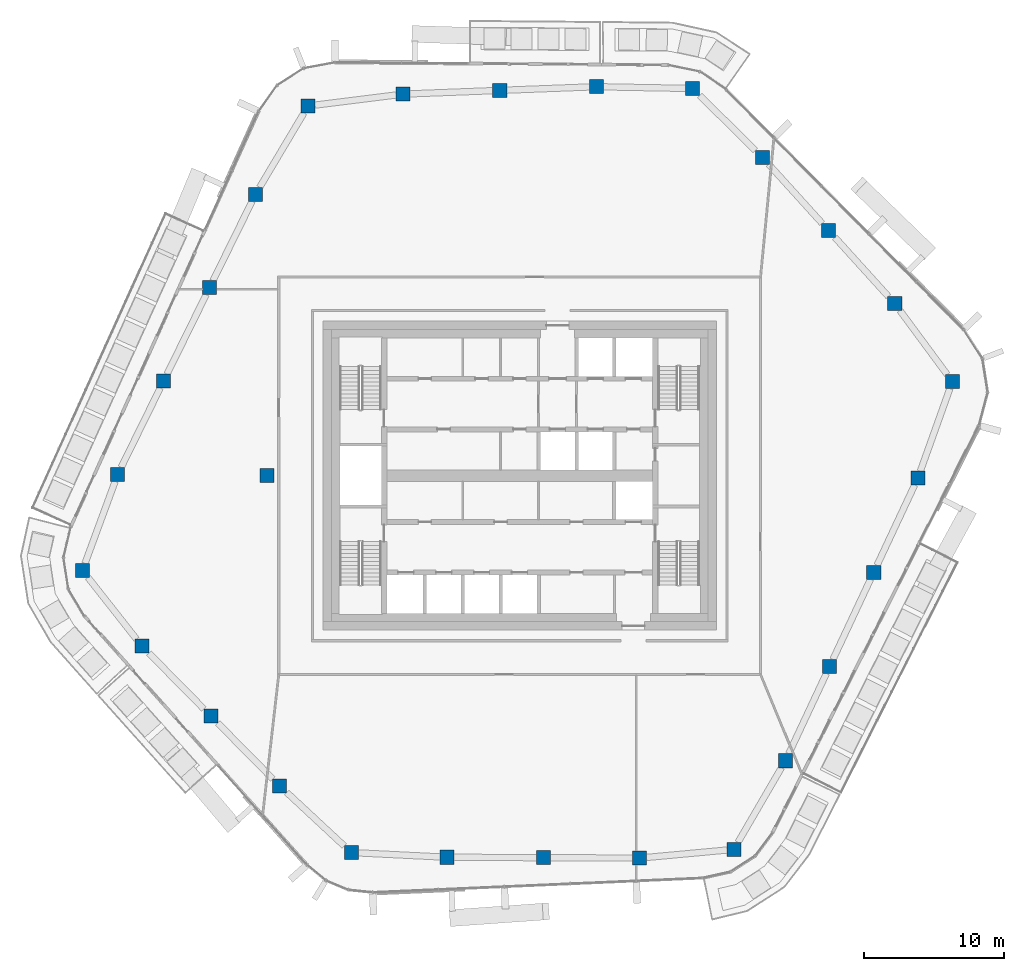
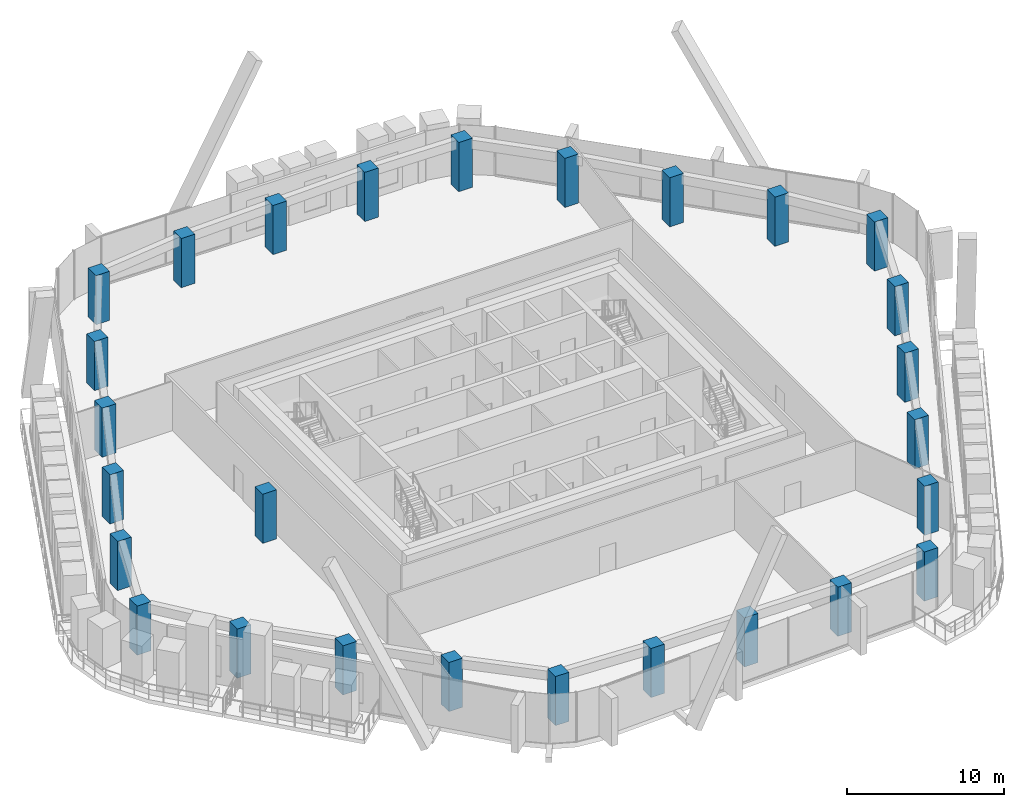
# One storey, part 1 of 23: 27 columns.
"""IFC4 building model written with IfcOpenShell, lengths in metres."""

import ifcopenshell
import ifcopenshell.guid

model = None  # the IFC model being written
_history = None  # IfcOwnerHistory: only IFC2X3 demands one
_inside = {}  # id of a spatial element -> (the spatial element, [elements in it])
_under = {}  # id of a project, library or spatial element -> (it, [spatial elements below it])
_declared = {}  # id of a project -> (the project, [libraries it declares])
_typed = {}  # id of a type object -> (the type object, [elements of that type])
_made_of = {}  # id of a material, layer set ... -> (it, [elements and type objects made of it])


def new_model(schema):
    """Start an empty IFC model of exactly this schema.

    Asked for "IFC4X3", IfcOpenShell would pick the latest addendum, in which some entities
    have other attributes; the version numbers below select the first issue.
    IFC2X3 requires an IfcOwnerHistory on every rooted entity: one is made here for all.
    """
    global model, _history
    if schema == "IFC4X3":
        model = ifcopenshell.file(schema_version=(4, 3, 0, 0))
    else:
        model = ifcopenshell.file(schema=schema)
    _inside.clear()
    _under.clear()
    _declared.clear()
    _typed.clear()
    _made_of.clear()
    _history = None
    if model.schema == "IFC2X3":
        org = make("IfcOrganization", Name="unknown")
        user = make(
            "IfcPersonAndOrganization",
            ThePerson=make("IfcPerson", FamilyName="unknown"),
            TheOrganization=org,
        )
        app = make(
            "IfcApplication",
            ApplicationDeveloper=org,
            Version="unknown",
            ApplicationFullName="unknown",
            ApplicationIdentifier="unknown",
        )
        _history = make(
            "IfcOwnerHistory",
            OwningUser=user,
            OwningApplication=app,
            ChangeAction="ADDED",
            CreationDate=0,
        )
    return model


def make(cls, **values):
    """One entity of the class cls with the attributes given. An attribute that is None is left unset."""
    return model.create_entity(
        cls, **{name: value for name, value in values.items() if value is not None}
    )


def rooted(cls, **values):
    """An entity with a GlobalId (a new one), such as an element, a storey or a relation."""
    return make(cls, GlobalId=ifcopenshell.guid.new(), OwnerHistory=_history, **values)


def si_unit(unit_type, name, prefix=None):
    """IfcSIUnit, for example si_unit("LENGTHUNIT", "METRE", prefix="MILLI")."""
    return make("IfcSIUnit", UnitType=unit_type, Prefix=prefix, Name=name)


def assignment(units):
    """IfcUnitAssignment: the units of a project."""
    return None if units is None else make("IfcUnitAssignment", Units=units)


def point(xyz):
    """IfcCartesianPoint."""
    return None if xyz is None else make("IfcCartesianPoint", Coordinates=xyz)


def direction(xyz):
    """IfcDirection."""
    return None if xyz is None else make("IfcDirection", DirectionRatios=xyz)


def frame(location, z_axis=None, x_axis=None):
    """IfcAxis2Placement3D, a coordinate frame: its origin and axes. An axis left out is left unset."""
    return make(
        "IfcAxis2Placement3D",
        Location=point(location),
        Axis=direction(z_axis),
        RefDirection=direction(x_axis),
    )


def frame_2d(location, x_axis=None):
    """IfcAxis2Placement2D, a coordinate frame in the plane: its origin and x axis."""
    return make(
        "IfcAxis2Placement2D", Location=point(location), RefDirection=direction(x_axis)
    )


def origin():
    """The frame at (0, 0, 0) with its axes left unset."""
    return frame((0.0, 0.0, 0.0))


def origin_2d():
    """The frame at (0, 0) in the plane with its x axis left unset."""
    return frame_2d((0.0, 0.0))


def place(relative_to, where):
    """IfcLocalPlacement: puts the frame where relative to a parent placement (None: the world)."""
    return make(
        "IfcLocalPlacement", PlacementRelTo=relative_to, RelativePlacement=where
    )


def context(
    kind, dimensions, precision=None, world=None, true_north=None, identifier=None
):
    """IfcGeometricRepresentationContext, for example the 3D "Model" context."""
    return make(
        "IfcGeometricRepresentationContext",
        ContextIdentifier=identifier,
        ContextType=kind,
        CoordinateSpaceDimension=dimensions,
        Precision=precision,
        WorldCoordinateSystem=world,
        TrueNorth=true_north,
    )


def subcontext(parent, identifier, kind, view, scale=None):
    """IfcGeometricRepresentationSubContext, for example "Body" below "Model"."""
    return make(
        "IfcGeometricRepresentationSubContext",
        ContextIdentifier=identifier,
        ContextType=kind,
        ParentContext=parent,
        TargetScale=scale,
        TargetView=view,
    )


def project(units=None, contexts=None):
    """IfcProject with its units and contexts."""
    return rooted(
        "IfcProject",
        Name="project",
        RepresentationContexts=contexts,
        UnitsInContext=assignment(units),
    )


def spatial(cls, under=None, at=None, **own):
    """A site, building, storey or space (cls), placed at a placement, below another one or the project."""
    s = rooted(cls, ObjectPlacement=at, **own)
    if under is not None:
        _under.setdefault(under.id(), (under, []))[1].append(s)
    return s


def profile(cls, at=None, kind="AREA", **sizes):
    """A parametric profile (cls). Its sizes go by their IFC names, for example OverallWidth=200.0."""
    return make(cls, ProfileType=kind, Position=at, **sizes)


def rectangle(**sizes):
    """IfcRectangleProfileDef."""
    return profile("IfcRectangleProfileDef", **sizes)


def extrude(swept, where, along, depth):
    """IfcExtrudedAreaSolid: the profile swept, set in the frame where, extruded along a direction by depth."""
    return make(
        "IfcExtrudedAreaSolid",
        SweptArea=swept,
        Position=where,
        ExtrudedDirection=direction(along),
        Depth=depth,
    )


def shape(context_of_items, identifier, shape_type, items):
    """IfcShapeRepresentation: the items that make up one representation, for example the "Body"."""
    return make(
        "IfcShapeRepresentation",
        ContextOfItems=context_of_items,
        RepresentationIdentifier=identifier,
        RepresentationType=shape_type,
        Items=items,
    )


def material(Name=None, Category=None):
    """IfcMaterial."""
    return make("IfcMaterial", Name=Name, Category=Category)


def material_profile(
    of_material, cross_section, Name=None, Category=None, Priority=None
):
    """IfcMaterialProfile: a cross section and its material."""
    return make(
        "IfcMaterialProfile",
        Name=Name,
        Material=of_material,
        Profile=cross_section,
        Priority=Priority,
        Category=Category,
    )


def profile_set(profiles, Name=None, composite=None):
    """IfcMaterialProfileSet."""
    return make(
        "IfcMaterialProfileSet",
        Name=Name,
        MaterialProfiles=profiles,
        CompositeProfile=composite,
    )


def made_of(thing, what):
    """Note that an element or type object is made of a material, layer set ...; save() writes the relation."""
    if what is not None:
        _made_of.setdefault(what.id(), (what, []))[1].append(thing)
    return thing


def type_object(cls, material=None, **own):
    """A type object (cls), such as IfcWallType, which elements share."""
    return made_of(rooted(cls, **own), material)


def element(
    cls,
    number,
    at=None,
    inside=None,
    cuts=None,
    type_object=None,
    material=None,
    context=None,
    identifier="Body",
    shape_type=None,
    held_by="IfcProductDefinitionShape",
    body=None,
    shapes=None,
    **own,
):
    """One element of the class cls, such as IfcWall. Its Tag is "e" and its number.

    at: its placement. inside: the storey or other place that contains it. cuts: it is an
    opening in that element (IfcRelVoidsElement). A single representation is given by context,
    identifier, shape_type and body (its items); several are given by shapes. held_by: the class
    of the entity that holds the representations. save() writes the other relations.
    """
    e = rooted(cls, Tag="e%d" % number, ObjectPlacement=at, **own)
    if body is not None:
        shapes = [shape(context, identifier, shape_type, body)]
    if shapes is not None:
        e.Representation = make(held_by, Representations=shapes)
    if inside is not None:
        _inside.setdefault(inside.id(), (inside, []))[1].append(e)
    if cuts is not None:
        rooted(
            "IfcRelVoidsElement", RelatingBuildingElement=cuts, RelatedOpeningElement=e
        )
    if type_object is not None:
        _typed.setdefault(type_object.id(), (type_object, []))[1].append(e)
    return made_of(e, material)


def aggregate(whole, parts):
    """IfcRelAggregates: a whole, such as a stair, and the parts it consists of."""
    return rooted("IfcRelAggregates", RelatingObject=whole, RelatedObjects=parts)


def save(model, path):
    """Write the relations noted so far, then the file.

    IfcRelAggregates (storeys below a building ...), IfcRelContainedInSpatialStructure (elements
    in a storey), IfcRelDefinesByType, IfcRelAssociatesMaterial and IfcRelDeclares: one each for
    every whole, place, type object, material and project.
    """
    for whole, parts in _under.values():
        aggregate(whole, parts)
    for where, things in _inside.values():
        rooted(
            "IfcRelContainedInSpatialStructure",
            RelatedElements=things,
            RelatingStructure=where,
        )
    for kind, things in _typed.values():
        rooted("IfcRelDefinesByType", RelatedObjects=things, RelatingType=kind)
    for what, things in _made_of.values():
        rooted("IfcRelAssociatesMaterial", RelatedObjects=things, RelatingMaterial=what)
    for by, libraries in _declared.values():
        rooted("IfcRelDeclares", RelatingContext=by, RelatedDefinitions=libraries)
    model.write(path)


model = new_model("IFC4")

# Units and contexts
model_context = context("Model", 3, precision=1e-05, world=origin(), true_north=direction((0.0, 1.0)))
body_context = subcontext(model_context, "Body", "Model", "MODEL_VIEW")
ifc_project = project(units=[si_unit("LENGTHUNIT", "METRE"), si_unit("AREAUNIT", "SQUARE_METRE"), si_unit("VOLUMEUNIT", "CUBIC_METRE"), si_unit("PLANEANGLEUNIT", "RADIAN"), si_unit("MASSUNIT", "GRAM", prefix="KILO")], contexts=[model_context])

# Site, building, storey
site_placement = place(None, origin())
site = spatial("IfcSite", under=ifc_project, at=site_placement, CompositionType="ELEMENT")
building_placement = place(site_placement, origin())
building = spatial("IfcBuilding", under=site, at=building_placement, Name="Dongbaek Canopy Tower", CompositionType="ELEMENT")
storey_placement = place(building_placement, frame((0.0, 0.0, 327.800048828125)))
storey = spatial("IfcBuildingStorey", under=building, at=storey_placement, Name="L70", CompositionType="ELEMENT", Elevation=327.800048828125)

# Columns
ifc_material = material(Name="Concrete C60", Category="concrete")
ifc_material_profile = material_profile(ifc_material, rectangle(XDim=1.0, YDim=1.0, at=origin_2d()), Name="RC COLUMN 1000x1000 C60")
ifc_profile_set = profile_set([ifc_material_profile], Name="Concrete C60")
column_type = type_object("IfcColumnType", Name="RC COLUMN 1000x1000 C60", PredefinedType="COLUMN", material=ifc_profile_set)
for number, where, z_axis, x_axis, name in (
    (1, (15.251953125, -26.60693359375, 0.0), (0.0, 0.0, 1.0), (1.0, 0.0, 0.0), "COL:CZ5-01:L70"),
    (2, (8.533935546875, -27.22705078125, 0.0), (0.0, 0.0, 1.0), (1.0, 0.0, 0.0), "COL:CZ5-02:L70"),
    (3, (1.68310546875, -27.197021484375, 0.0), (0.0, 0.0, 1.0), (1.0, 0.0, 0.0), "COL:CZ5-03:L70"),
    (4, (-5.166015625, -27.1669921875, 0.0), (0.0, 0.0, 1.0), (1.0, 0.0, 0.0), "COL:CZ5-04:L70"),
    (5, (-11.985107421875, -26.8310546875, 0.0), (0.0, 0.0, 1.0), (1.0, 0.0, 0.0), "COL:CZ5-05:L70"),
    (6, (-17.083984375, -22.089111328125, 0.0), (0.0, 0.0, 1.0), (1.0, 0.0, 0.0), "COL:CZ5-06:L70"),
    (7, (-21.986083984375, -17.112060546875, 0.0), (0.0, 0.0, 1.0), (1.0, 0.0, 0.0), "COL:CZ5-07:L70"),
    (8, (-26.888916015625, -12.134033203125, 0.0), (0.0, 0.0, 1.0), (1.0, 0.0, 0.0), "COL:CZ5-08:L70"),
    (9, (-31.12890625, -6.7451171875, 0.0), (0.0, 0.0, 1.0), (1.0, 0.0, 0.0), "COL:CZ5-09:L70"),
    (10, (-28.616943359375, 0.0859375, 0.0), (0.0, 0.0, 1.0), (1.0, 0.0, 0.0), "COL:CZ5-10:L70"),
    (11, (-25.346923828125, 6.735107421875, 0.0), (0.0, 0.0, 1.0), (1.0, 0.0, 0.0), "COL:CZ5-11:L70"),
    (12, (-22.075927734375, 13.384033203125, 0.0), (0.0, 0.0, 1.0), (1.0, 0.0, 0.0), "COL:CZ5-12:L70"),
    (13, (-18.805908203125, 20.031982421875, 0.0), (0.0, 0.0, 1.0), (1.0, 0.0, 0.0), "COL:CZ5-13:L70"),
    (14, (-15.06201171875, 26.321044921875, 0.0), (0.0, 0.0, 1.0), (1.0, 0.0, 0.0), "COL:CZ5-14:L70"),
    (15, (-8.30908203125, 27.1640625, 0.0), (0.0, 0.0, 1.0), (1.0, 0.0, 0.0), "COL:CZ5-15:L70"),
    (16, (-1.41796875, 27.427978515625, 0.0), (0.0, 0.0, 1.0), (1.0, 0.0, 0.0), "COL:CZ5-16:L70"),
    (17, (5.470947265625, 27.69189453125, 0.0), (0.0, 0.0, 1.0), (1.0, 0.0, 0.0), "COL:CZ5-17:L70"),
    (18, (12.31396484375, 27.56298828125, 0.0), (0.0, 0.0, 1.0), (1.0, 0.0, 0.0), "COL:CZ5-18:L70"),
    (19, (17.27587890625, 22.666015625, 0.0), (0.0, 0.0, 1.0), (1.0, 0.0, 0.0), "COL:CZ5-19:L70"),
    (20, (21.989990234375, 17.4619140625, 0.0), (0.0, 0.0, 1.0), (1.0, 0.0, 0.0), "COL:CZ5-20:L70"),
    (21, (26.702880859375, 12.257080078125, 0.0), (0.0, 0.0, 1.0), (1.0, 0.0, 0.0), "COL:CZ5-21:L70"),
    (22, (30.804931640625, 6.697998046875, 0.0), (0.0, 0.0, 1.0), (1.0, 0.0, 0.0), "COL:CZ5-22:L70"),
    (23, (28.35107421875, -0.169921875, 0.0), (0.0, 0.0, 1.0), (1.0, 0.0, 0.0), "COL:CZ5-23:L70"),
    (24, (25.2099609375, -6.87890625, 0.0), (0.0, 0.0, 1.0), (1.0, 0.0, 0.0), "COL:CZ5-24:L70"),
    (25, (22.068115234375, -13.587890625, 0.0), (0.0, 0.0, 1.0), (1.0, 0.0, 0.0), "COL:CZ5-25:L70"),
    (26, (18.925048828125, -20.2958984375, 0.0), (0.0, 0.0, 1.0), (1.0, 0.0, 0.0), "COL:CZ5-26:L70"),
    (27, (-18.0, 0.0, 0.0), (0.0, 0.0, 1.0), (1.0, 0.0, 0.0), "COL:CIZ5-01:L70"),
):
    element("IfcColumn", number, at=place(storey_placement, frame(where, z_axis=z_axis, x_axis=x_axis)), inside=storey, type_object=column_type, Name=name, PredefinedType="COLUMN", context=body_context, shape_type="SweptSolid", body=[
        extrude(rectangle(XDim=1.0, YDim=1.0, at=origin_2d()), origin(), (0.0, 0.0, 1.0), 3.820068359375),
    ])

save(model, "model.ifc")
